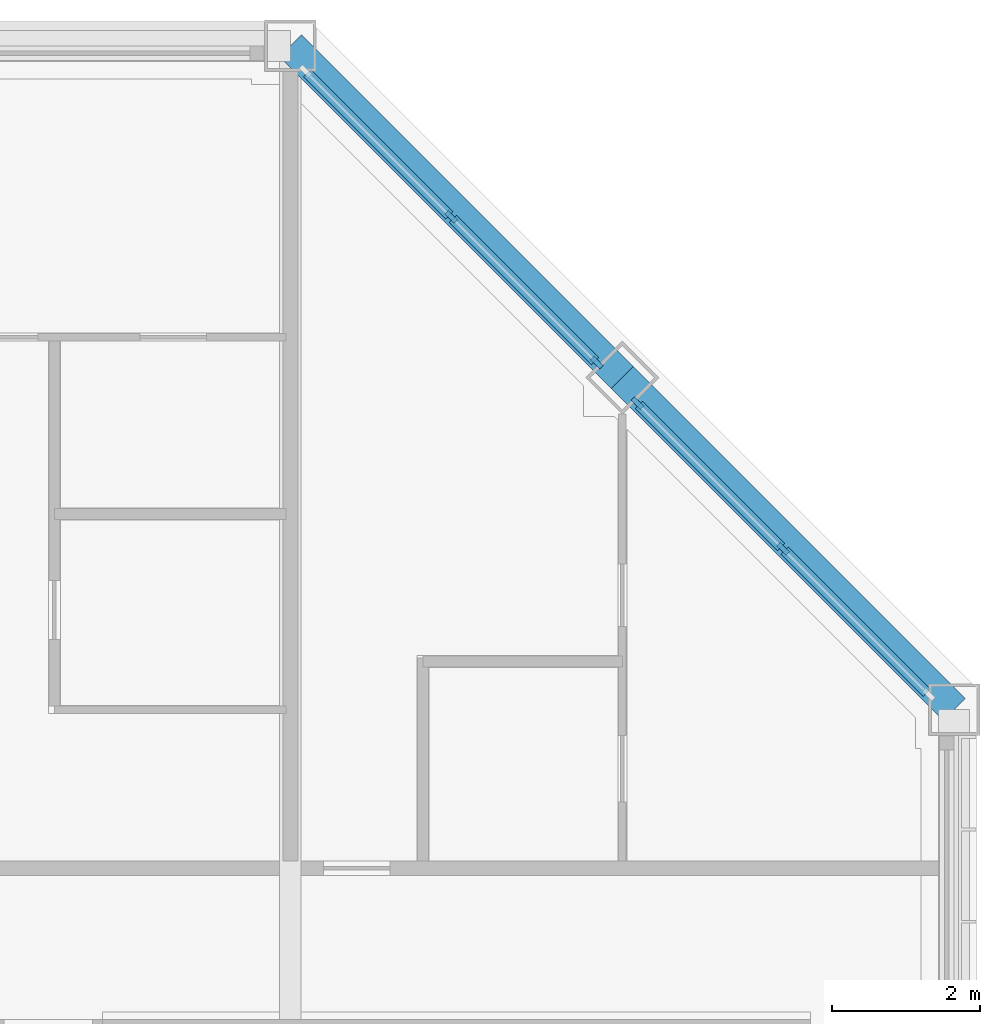
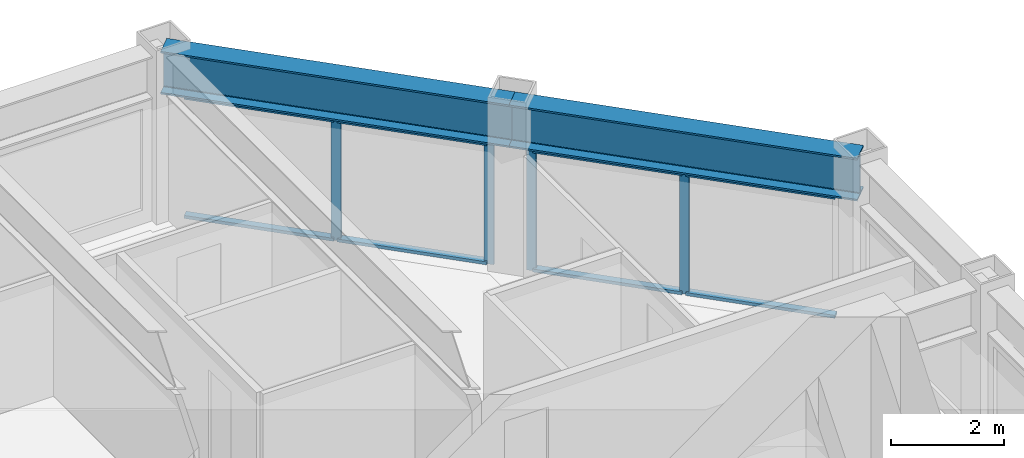
# One storey, part 7 of 18: 12 members, 2 beams, 2 elements without a shape of their own.
"""IFC4 building model written with IfcOpenShell, lengths in metres."""

from ifc_helpers import new_model, si_unit, direction, frame, origin, origin_2d, place, context, subcontext, project, spatial, rectangle, i_section, extrude, material, material_profile, profile_set, type_object, element, aggregate, save


model = new_model("IFC4")

# Units and contexts
model_context = context("Model", 3, precision=1e-05, world=origin(), true_north=direction((0.0, 1.0)))
body_context = subcontext(model_context, "Body", "Model", "MODEL_VIEW")
ifc_project = project(units=[si_unit("LENGTHUNIT", "METRE"), si_unit("AREAUNIT", "SQUARE_METRE"), si_unit("VOLUMEUNIT", "CUBIC_METRE"), si_unit("PLANEANGLEUNIT", "RADIAN"), si_unit("MASSUNIT", "GRAM", prefix="KILO")], contexts=[model_context])

# Site, building, storey
site_placement = place(None, origin())
site = spatial("IfcSite", under=ifc_project, at=site_placement, CompositionType="ELEMENT")
building_placement = place(site_placement, origin())
building = spatial("IfcBuilding", under=site, at=building_placement, Name="Msasa Ring Tower", CompositionType="ELEMENT")
storey_placement = place(building_placement, frame((0.0, 0.0, 223.300048828125)))
storey = spatial("IfcBuildingStorey", under=building, at=storey_placement, Name="L58", CompositionType="ELEMENT", Elevation=223.300048828125)

# Curtain wall, members
ifc_material_1 = material(Name="Aluminium curtain wall with clear glass", Category="aluminium")
curtain_wall_type = type_object("IfcCurtainWallType", Name="CW-C CHAMFER CORNER CURTAIN WALL", PredefinedType="NOTDEFINED", material=ifc_material_1)
curtain_wall_1_placement = place(storey_placement, origin())
curtain_wall_1 = element("IfcCurtainWall", 1, at=curtain_wall_1_placement, inside=storey, type_object=curtain_wall_type, Name="Chamfer corner curtain wall NE L58", PredefinedType="NOTDEFINED")
ifc_material_2 = material(Name="Aluminium mullion", Category="aluminium")
ifc_material_profile_1 = material_profile(ifc_material_2, rectangle(XDim=0.06494140625, YDim=0.179931640625, at=origin_2d()), Name="AL 65x180")
ifc_profile_set_1 = profile_set([ifc_material_profile_1], Name="Aluminium mullion")
member_type_1 = type_object("IfcMemberType", Name="CW-C MULLION 65x180", PredefinedType="MULLION", material=ifc_profile_set_1)
member_1_placement = place(storey_placement, frame((15.4052734375, 15.953369140625, 0.0), z_axis=(0.0, 0.0, 1.0), x_axis=(-0.707106781187, -0.707106781187, 0.0)))
member_1 = element("IfcMember", 2, at=member_1_placement, type_object=member_type_1, Name="CW-C mullion 1", PredefinedType="MULLION", context=body_context, shape_type="SweptSolid", body=[
    extrude(rectangle(XDim=0.06494140625, YDim=0.179931640625, at=origin_2d()), origin(), (0.0, 0.0, 1.0), 2.62890625),
])
member_2_placement = place(storey_placement, frame((13.42919921875, 17.92919921875, 0.0), z_axis=(0.0, 0.0, 1.0), x_axis=(-0.707106781187, -0.707106781187, 0.0)))
member_2 = element("IfcMember", 3, at=member_2_placement, type_object=member_type_1, Name="CW-C mullion 2", PredefinedType="MULLION", context=body_context, shape_type="SweptSolid", body=[
    extrude(rectangle(XDim=0.06494140625, YDim=0.179931640625, at=origin_2d()), origin(), (0.0, 0.0, 1.0), 2.62890625),
])

curtain_wall_2_placement = place(storey_placement, origin())
curtain_wall_2 = element("IfcCurtainWall", 4, at=curtain_wall_2_placement, inside=storey, type_object=curtain_wall_type, Name="Chamfer corner curtain wall NE L58", PredefinedType="NOTDEFINED")
member_3_placement = place(storey_placement, frame((17.92919921875, 13.42919921875, 0.0), z_axis=(0.0, 0.0, 1.0), x_axis=(-0.707106781187, -0.707106781187, 0.0)))
member_3 = element("IfcMember", 5, at=member_3_placement, type_object=member_type_1, Name="CW-C mullion 2", PredefinedType="MULLION", context=body_context, shape_type="SweptSolid", body=[
    extrude(rectangle(XDim=0.06494140625, YDim=0.179931640625, at=origin_2d()), origin(), (0.0, 0.0, 1.0), 2.62890625),
])
member_4_placement = place(storey_placement, frame((15.953369140625, 15.4052734375, 0.0), z_axis=(0.0, 0.0, 1.0), x_axis=(-0.707106781187, -0.707106781187, 0.0)))
member_4 = element("IfcMember", 6, at=member_4_placement, type_object=member_type_1, Name="CW-C mullion 3", PredefinedType="MULLION", context=body_context, shape_type="SweptSolid", body=[
    extrude(rectangle(XDim=0.06494140625, YDim=0.179931640625, at=origin_2d()), origin(), (0.0, 0.0, 1.0), 2.62890625),
])

# Member
ifc_material_3 = material(Name="Aluminium transom", Category="aluminium")
ifc_material_profile_2 = material_profile(ifc_material_3, rectangle(XDim=0.139892578125, YDim=0.06494140625, at=origin_2d()), Name="AL 65x140")
ifc_profile_set_2 = profile_set([ifc_material_profile_2], Name="Aluminium transom")
member_type_2 = type_object("IfcMemberType", Name="CW-C TRANSOM 65x140", PredefinedType="USERDEFINED", material=ifc_profile_set_2)
member_5_placement = place(storey_placement, frame((15.38232421875, 15.976318359375, 0.032470703125), z_axis=(-0.707106781187, 0.707106781187, 0.0), x_axis=(-0.707106781187, -0.707106781187, 0.0)))
member_5 = element("IfcMember", 7, at=member_5_placement, type_object=member_type_2, Name="CW-C transom 1.1", ObjectType="TRANSOM", PredefinedType="USERDEFINED", context=body_context, shape_type="SweptSolid", body=[
    extrude(rectangle(XDim=0.139892578125, YDim=0.06494140625, at=origin_2d()), origin(), (0.0, 0.0, 1.0), 2.729248046875),
])

member_6_placement = place(storey_placement, frame((15.38232421875, 15.976318359375, 2.596435546875), z_axis=(-0.707106781187, 0.707106781187, 0.0), x_axis=(-0.707106781187, -0.707106781187, 0.0)))
member_6 = element("IfcMember", 8, at=member_6_placement, type_object=member_type_2, Name="CW-C transom 1.2", ObjectType="TRANSOM", PredefinedType="USERDEFINED", context=body_context, shape_type="SweptSolid", body=[
    extrude(rectangle(XDim=0.139892578125, YDim=0.06494140625, at=origin_2d()), origin(), (0.0, 0.0, 1.0), 2.729248046875),
])

member_7_placement = place(storey_placement, frame((13.40625, 17.952392578125, 0.032470703125), z_axis=(-0.707106781187, 0.707106781187, 0.0), x_axis=(-0.707106781187, -0.707106781187, 0.0)))
member_7 = element("IfcMember", 9, at=member_7_placement, type_object=member_type_2, Name="CW-C transom 2.1", ObjectType="TRANSOM", PredefinedType="USERDEFINED", context=body_context, shape_type="SweptSolid", body=[
    extrude(rectangle(XDim=0.139892578125, YDim=0.06494140625, at=origin_2d()), origin(), (0.0, 0.0, 1.0), 2.729248046875),
])

member_8_placement = place(storey_placement, frame((13.40625, 17.952392578125, 2.596435546875), z_axis=(-0.707106781187, 0.707106781187, 0.0), x_axis=(-0.707106781187, -0.707106781187, 0.0)))
member_8 = element("IfcMember", 10, at=member_8_placement, type_object=member_type_2, Name="CW-C transom 2.2", ObjectType="TRANSOM", PredefinedType="USERDEFINED", context=body_context, shape_type="SweptSolid", body=[
    extrude(rectangle(XDim=0.139892578125, YDim=0.06494140625, at=origin_2d()), origin(), (0.0, 0.0, 1.0), 2.729248046875),
])

aggregate(curtain_wall_1, [member_1, member_2, member_5, member_6, member_7, member_8])

member_9_placement = place(storey_placement, frame((19.88232421875, 11.476318359375, 0.032470703125), z_axis=(-0.707106781187, 0.707106781187, 0.0), x_axis=(-0.707106781187, -0.707106781187, 0.0)))
member_9 = element("IfcMember", 11, at=member_9_placement, type_object=member_type_2, Name="CW-C transom 1.1", ObjectType="TRANSOM", PredefinedType="USERDEFINED", context=body_context, shape_type="SweptSolid", body=[
    extrude(rectangle(XDim=0.139892578125, YDim=0.06494140625, at=origin_2d()), origin(), (0.0, 0.0, 1.0), 2.729248046875),
])

member_10_placement = place(storey_placement, frame((19.88232421875, 11.476318359375, 2.596435546875), z_axis=(-0.707106781187, 0.707106781187, 0.0), x_axis=(-0.707106781187, -0.707106781187, 0.0)))
member_10 = element("IfcMember", 12, at=member_10_placement, type_object=member_type_2, Name="CW-C transom 1.2", ObjectType="TRANSOM", PredefinedType="USERDEFINED", context=body_context, shape_type="SweptSolid", body=[
    extrude(rectangle(XDim=0.139892578125, YDim=0.06494140625, at=origin_2d()), origin(), (0.0, 0.0, 1.0), 2.729248046875),
])

member_11_placement = place(storey_placement, frame((17.90625, 13.452392578125, 0.032470703125), z_axis=(-0.707106781187, 0.707106781187, 0.0), x_axis=(-0.707106781187, -0.707106781187, 0.0)))
member_11 = element("IfcMember", 13, at=member_11_placement, type_object=member_type_2, Name="CW-C transom 2.1", ObjectType="TRANSOM", PredefinedType="USERDEFINED", context=body_context, shape_type="SweptSolid", body=[
    extrude(rectangle(XDim=0.139892578125, YDim=0.06494140625, at=origin_2d()), origin(), (0.0, 0.0, 1.0), 2.729248046875),
])

member_12_placement = place(storey_placement, frame((17.90625, 13.452392578125, 2.596435546875), z_axis=(-0.707106781187, 0.707106781187, 0.0), x_axis=(-0.707106781187, -0.707106781187, 0.0)))
member_12 = element("IfcMember", 14, at=member_12_placement, type_object=member_type_2, Name="CW-C transom 2.2", ObjectType="TRANSOM", PredefinedType="USERDEFINED", context=body_context, shape_type="SweptSolid", body=[
    extrude(rectangle(XDim=0.139892578125, YDim=0.06494140625, at=origin_2d()), origin(), (0.0, 0.0, 1.0), 2.729248046875),
])

aggregate(curtain_wall_2, [member_3, member_4, member_9, member_10, member_11, member_12])

# Beams
ifc_material_4 = material(Name="Steel S355", Category="steel")
ifc_material_profile_3 = material_profile(ifc_material_4, i_section(OverallWidth=0.42041015625, OverallDepth=0.9208984375, WebThickness=0.021484375, FlangeThickness=0.03662109375, FilletRadius=0.024169921875, at=origin_2d()), Name="UB 914x419x388")
ifc_profile_set_3 = profile_set([ifc_material_profile_3], Name="Steel S355")
beam_type = type_object("IfcBeamType", Name="SB1 UB 914x419x388", PredefinedType="SPANDREL", material=ifc_profile_set_3)
for number, where, z_axis, x_axis, name in (
    (15, (20.25, 11.25, 3.08935546875), (-0.707106781187, 0.707106781187, 0.0), (-0.707106781187, -0.707106781187, 0.0), "Spandrel E+11.25 to NE under L59"),
    (16, (15.75, 15.75, 3.08935546875), (-0.707106781187, 0.707106781187, 0.0), (-0.707106781187, -0.707106781187, 0.0), "Spandrel NE to N+11.25 under L59"),
):
    element("IfcBeam", number, at=place(storey_placement, frame(where, z_axis=z_axis, x_axis=x_axis)), inside=storey, type_object=beam_type, Name=name, PredefinedType="SPANDREL", context=body_context, shape_type="SweptSolid", body=[
        extrude(i_section(OverallWidth=0.42041015625, OverallDepth=0.9208984375, WebThickness=0.021484375, FlangeThickness=0.03662109375, FilletRadius=0.024169921875, at=origin_2d()), origin(), (0.0, 0.0, 1.0), 6.364013671875),
    ])

save(model, "model.ifc")
